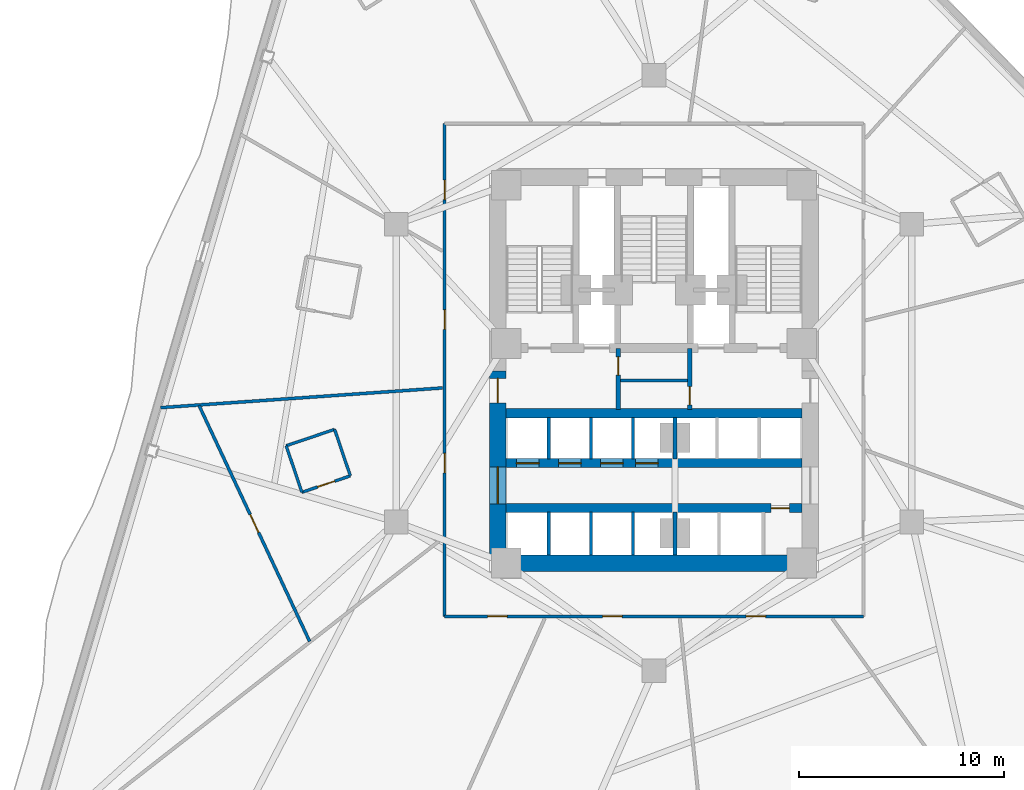
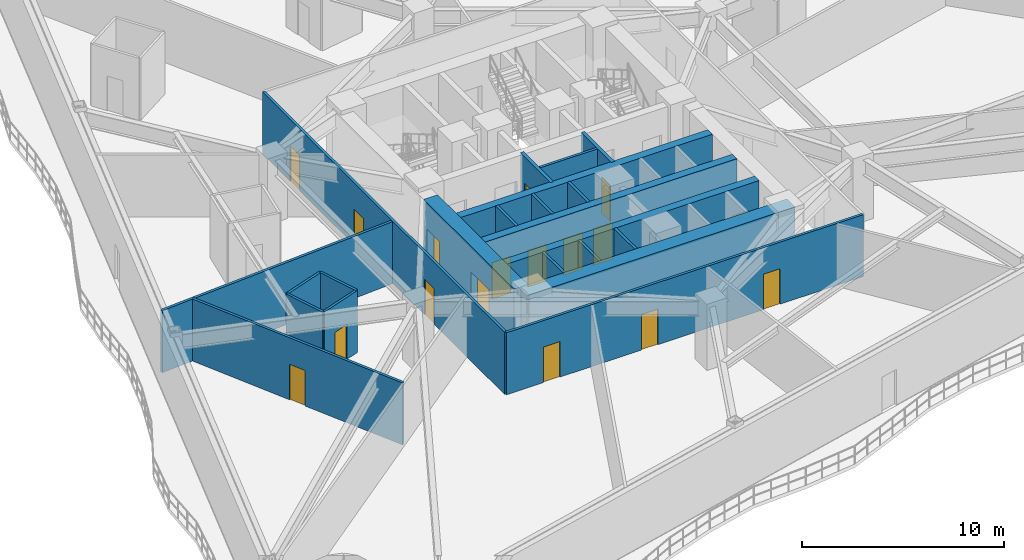
# One storey, part 3 of 9: 24 walls, 17 doors, 17 openings.
"""IFC4 building model written with IfcOpenShell, lengths in metres."""

from ifc_helpers import new_model, si_unit, direction, frame, frame_2d, origin, place, context, subcontext, project, spatial, rectangle, extrude, material, layer, layer_set, type_object, element, fill, save


model = new_model("IFC4")

# Units and contexts
model_context = context("Model", 3, precision=1e-05, world=origin(), true_north=direction((0.0, 1.0)))
body_context = subcontext(model_context, "Body", "Model", "MODEL_VIEW")
ifc_project = project(units=[si_unit("LENGTHUNIT", "METRE"), si_unit("AREAUNIT", "SQUARE_METRE"), si_unit("VOLUMEUNIT", "CUBIC_METRE"), si_unit("PLANEANGLEUNIT", "RADIAN"), si_unit("MASSUNIT", "GRAM", prefix="KILO")], contexts=[model_context])

# Site, building, storey
site_placement = place(None, origin())
site = spatial("IfcSite", under=ifc_project, at=site_placement, CompositionType="ELEMENT")
building_placement = place(site_placement, origin())
building = spatial("IfcBuilding", under=site, at=building_placement, Name="Apsidion Concourse Tower", CompositionType="ELEMENT")
storey_placement = place(building_placement, frame((0.0, 0.0, 119.0)))
storey = spatial("IfcBuildingStorey", under=building, at=storey_placement, Name="L27", CompositionType="ELEMENT", Elevation=119.0)

# Walls
ifc_material_1 = material(Name="Gypsum plasterboard partition")
ifc_layer_1 = layer(ifc_material_1, 0.139892578125)
ifc_layer_set_1 = layer_set([ifc_layer_1], Name="Gypsum plasterboard partition")
wall_type_1 = type_object("IfcWallType", Name="WL-INT-PAR-140", PredefinedType="PARTITIONING", material=ifc_layer_set_1)
wall_1_placement = place(storey_placement, frame((-15.55517578125, -2.738037109375, 0.0), z_axis=(0.0, 0.0, 1.0), x_axis=(-0.947212305057, -0.320607001091, 0.0)))
element("IfcWall", 1, at=wall_1_placement, inside=storey, type_object=wall_type_1, Name="L27 Interior Partition WL-L27-POD-HKAWC-S1", PredefinedType="PARTITIONING", context=body_context, shape_type="SweptSolid", body=[
    extrude(rectangle(XDim=2.489990234375, YDim=0.139892578125, at=frame_2d((1.2451171875, 0.0))), origin(), (0.0, 0.0, 1.0), 3.75),
])
wall_2_placement = place(storey_placement, frame((-17.913818359375, -3.536376953125, 0.0), z_axis=(0.0, 0.0, 1.0), x_axis=(0.320637062885, -0.947202129381, 0.0)))
element("IfcWall", 2, at=wall_2_placement, inside=storey, type_object=wall_type_1, Name="L27 Interior Partition WL-L27-POD-HKAWC-S2", PredefinedType="PARTITIONING", context=body_context, shape_type="SweptSolid", body=[
    extrude(rectangle(XDim=2.39013671875, YDim=0.139892578125, at=frame_2d((1.195068359375, 0.0))), origin(), (0.0, 0.0, 1.0), 3.75),
])

# Wall, opening, door
wall_3_placement = place(storey_placement, frame((-17.1474609375, -5.80029296875, 0.0), z_axis=(0.0, 0.0, 1.0), x_axis=(0.947182527333, 0.320694963969, 0.0)))
wall_3 = element("IfcWall", 3, at=wall_3_placement, inside=storey, type_object=wall_type_1, Name="L27 Interior Partition WL-L27-POD-HKAWC-S3", PredefinedType="PARTITIONING", context=body_context, shape_type="SweptSolid", body=[
    extrude(rectangle(XDim=2.490234375, YDim=0.139892578125, at=frame_2d((1.2451171875, 0.0))), origin(), (0.0, 0.0, 1.0), 3.75),
])
opening_1_placement = place(wall_3_placement, frame((0.804931640625, 0.0, 0.0)))
opening_1 = element("IfcOpeningElement", 4, at=opening_1_placement, cuts=wall_3, Name="Opening D-03L", PredefinedType="OPENING", context=body_context, shape_type="SweptSolid", body=[
    extrude(rectangle(XDim=0.8798828125, YDim=2.10009765625, at=frame_2d((0.43994140625, 1.050048828125))), frame((0.0, 0.080078125, 0.0), z_axis=(0.0, -1.0, 0.0), x_axis=(1.0, 0.0, 0.0)), (0.0, 0.0, 1.0), 0.159912109375),
])
ifc_material_2 = material(Name="Anodised aluminium EN AW-6063 T6", Category="aluminium")
door_type_1 = type_object("IfcDoorType", Name="DR-INT-D03L", OperationType="SINGLE_SWING_LEFT", PredefinedType="DOOR", material=ifc_material_2)
door_1_placement = place(opening_1_placement, origin())
door_1 = element("IfcDoor", 5, at=door_1_placement, inside=storey, type_object=door_type_1, Name="L27 Hotel Accessible WC Door HKAWC", OperationType="SINGLE_SWING_LEFT", OverallHeight=2.10009765625, OverallWidth=0.8798828125, PredefinedType="DOOR", context=body_context, shape_type="SweptSolid", body=[
    extrude(rectangle(XDim=0.8798828125, YDim=2.10009765625, at=frame_2d((0.43994140625, 1.050048828125))), frame((0.0, 0.02490234375, 0.0), z_axis=(0.0, -1.0, 0.0), x_axis=(1.0, 0.0, 0.0)), (0.0, 0.0, 1.0), 0.050048828125),
])
fill(opening_1, door_1)

# Walls
wall_4_placement = place(storey_placement, frame((-14.788818359375, -5.001708984375, 0.0), z_axis=(0.0, 0.0, 1.0), x_axis=(-0.320668088357, 0.947191626393, 0.0)))
element("IfcWall", 6, at=wall_4_placement, inside=storey, type_object=wall_type_1, Name="L27 Interior Partition WL-L27-POD-HKAWC-S4", PredefinedType="PARTITIONING", context=body_context, shape_type="SweptSolid", body=[
    extrude(rectangle(XDim=2.389892578125, YDim=0.139892578125, at=frame_2d((1.19482421875, 0.0))), origin(), (0.0, 0.0, 1.0), 3.75),
])
ifc_layer_2 = layer(ifc_material_1, 0.14990234375)
ifc_layer_set_2 = layer_set([ifc_layer_2], Name="Gypsum plasterboard partition")
wall_type_2 = type_object("IfcWallType", Name="WL-INT-PAR-150", PredefinedType="PARTITIONING", material=ifc_layer_set_2)
for number, where, z_axis, x_axis, name in (
    (7, (-5.125, -4.179931640625, 0.0), (0.0, 0.0, 1.0), (0.0, 1.0, 0.0), "L27 Interior Partition WL-L27-B1DIV-1"),
    (8, (-3.074951171875, -4.179931640625, 0.0), (0.0, 0.0, 1.0), (0.0, 1.0, 0.0), "L27 Interior Partition WL-L27-B1DIV-2"),
    (9, (-1.02490234375, -4.179931640625, 0.0), (0.0, 0.0, 1.0), (0.0, 1.0, 0.0), "L27 Interior Partition WL-L27-B1DIV-3"),
):
    element("IfcWall", number, at=place(storey_placement, frame(where, z_axis=z_axis, x_axis=x_axis)), inside=storey, type_object=wall_type_2, Name=name, PredefinedType="PARTITIONING", context=body_context, shape_type="SweptSolid", body=[
        extrude(rectangle(XDim=2.030029296875, YDim=0.14990234375, at=frame_2d((1.01513671875, 0.0))), origin(), (0.0, 0.0, 1.0), 3.75),
    ])
for number, where, z_axis, x_axis, name in (
    (10, (-5.125, -8.85009765625, 0.0), (0.0, 0.0, 1.0), (0.0, 1.0, 0.0), "L27 Interior Partition WL-L27-B2DIV-1"),
    (11, (-3.074951171875, -8.85009765625, 0.0), (0.0, 0.0, 1.0), (0.0, 1.0, 0.0), "L27 Interior Partition WL-L27-B2DIV-2"),
    (12, (-1.02490234375, -8.85009765625, 0.0), (0.0, 0.0, 1.0), (0.0, 1.0, 0.0), "L27 Interior Partition WL-L27-B2DIV-3"),
):
    element("IfcWall", number, at=place(storey_placement, frame(where, z_axis=z_axis, x_axis=x_axis)), inside=storey, type_object=wall_type_2, Name=name, PredefinedType="PARTITIONING", context=body_context, shape_type="SweptSolid", body=[
        extrude(rectangle(XDim=2.080078125, YDim=0.14990234375, at=frame_2d((1.0400390625, 0.0))), origin(), (0.0, 0.0, 1.0), 3.75),
    ])
wall_5_placement = place(storey_placement, frame((-1.6298828125, -0.35009765625, 0.0), z_axis=(0.0, 0.0, 1.0), x_axis=(1.0, 0.0, 0.0)))
element("IfcWall", 13, at=wall_5_placement, inside=storey, type_object=wall_type_2, Name="L27 Interior Partition WL-L27-K2H", PredefinedType="PARTITIONING", context=body_context, shape_type="SweptSolid", body=[
    extrude(rectangle(XDim=3.259765625, YDim=0.14990234375, at=frame_2d((1.6298828125, 0.0))), origin(), (0.0, 0.0, 1.0), 3.75),
])

# Wall, openings, doors
wall_6_placement = place(storey_placement, frame((10.199951171875, -11.85009765625, 0.0), z_axis=(0.0, 0.0, 1.0), x_axis=(-1.0, 0.0, 0.0)))
wall_6 = element("IfcWall", 14, at=wall_6_placement, inside=storey, type_object=wall_type_2, Name="L27 Interior Partition WL-L27-CORR-03", PredefinedType="PARTITIONING", context=body_context, shape_type="SweptSolid", body=[
    extrude(rectangle(XDim=20.39990234375, YDim=0.14990234375, at=frame_2d((10.199951171875, 0.0))), origin(), (0.0, 0.0, 1.0), 3.75),
])
opening_2_placement = place(wall_6_placement, frame((17.356689453125, 0.0, 0.0)))
opening_2 = element("IfcOpeningElement", 15, at=opening_2_placement, cuts=wall_6, Name="Opening D-01R", PredefinedType="OPENING", context=body_context, shape_type="SweptSolid", body=[
    extrude(rectangle(XDim=0.949951171875, YDim=2.14990234375, at=frame_2d((0.47509765625, 1.074951171875))), frame((0.0, 0.0849609375, 0.0), z_axis=(0.0, -1.0, 0.0), x_axis=(1.0, 0.0, 0.0)), (0.0, 0.0, 1.0), 0.169921875),
])
opening_3_placement = place(wall_6_placement, frame((11.752685546875, 0.0, 0.0)))
opening_3 = element("IfcOpeningElement", 16, at=opening_3_placement, cuts=wall_6, Name="Opening D-01L", PredefinedType="OPENING", context=body_context, shape_type="SweptSolid", body=[
    extrude(rectangle(XDim=0.949951171875, YDim=2.14990234375, at=frame_2d((0.47509765625, 1.074951171875))), frame((0.0, 0.0849609375, 0.0), z_axis=(0.0, -1.0, 0.0), x_axis=(1.0, 0.0, 0.0)), (0.0, 0.0, 1.0), 0.169921875),
])
opening_4_placement = place(wall_6_placement, frame((4.757568359375, 0.0, 0.0)))
opening_4 = element("IfcOpeningElement", 17, at=opening_4_placement, cuts=wall_6, Name="Opening D-01R", PredefinedType="OPENING", context=body_context, shape_type="SweptSolid", body=[
    extrude(rectangle(XDim=0.949951171875, YDim=2.14990234375, at=frame_2d((0.47509765625, 1.074951171875))), frame((0.0, 0.0849609375, 0.0), z_axis=(0.0, -1.0, 0.0), x_axis=(1.0, 0.0, 0.0)), (0.0, 0.0, 1.0), 0.169921875),
])
ifc_material_3 = material(Name="Brushed stainless steel 316", Category="steel")
door_type_2 = type_object("IfcDoorType", Name="DR-INT-D01L", OperationType="SINGLE_SWING_LEFT", PredefinedType="DOOR", material=ifc_material_3)
door_2_placement = place(opening_3_placement, origin())
door_2 = element("IfcDoor", 18, at=door_2_placement, inside=storey, type_object=door_type_2, Name="L27 Corridor Entry Door 03", OperationType="SINGLE_SWING_LEFT", OverallHeight=2.14990234375, OverallWidth=0.949951171875, PredefinedType="DOOR", context=body_context, shape_type="SweptSolid", body=[
    extrude(rectangle(XDim=0.949951171875, YDim=2.14990234375, at=frame_2d((0.47509765625, 1.074951171875))), frame((0.0, 0.02490234375, 0.0), z_axis=(0.0, -1.0, 0.0), x_axis=(1.0, 0.0, 0.0)), (0.0, 0.0, 1.0), 0.050048828125),
])
fill(opening_3, door_2)
door_type_3 = type_object("IfcDoorType", Name="DR-INT-D01R", OperationType="SINGLE_SWING_RIGHT", PredefinedType="DOOR", material=ifc_material_3)
door_3_placement = place(opening_2_placement, origin())
door_3 = element("IfcDoor", 19, at=door_3_placement, inside=storey, type_object=door_type_3, Name="L27 Corridor Entry Door 02", OperationType="SINGLE_SWING_RIGHT", OverallHeight=2.14990234375, OverallWidth=0.949951171875, PredefinedType="DOOR", context=body_context, shape_type="SweptSolid", body=[
    extrude(rectangle(XDim=0.949951171875, YDim=2.14990234375, at=frame_2d((0.47509765625, 1.074951171875))), frame((0.0, 0.02490234375, 0.0), z_axis=(0.0, -1.0, 0.0), x_axis=(1.0, 0.0, 0.0)), (0.0, 0.0, 1.0), 0.050048828125),
])
fill(opening_2, door_3)
door_4_placement = place(opening_4_placement, origin())
door_4 = element("IfcDoor", 20, at=door_4_placement, inside=storey, type_object=door_type_3, Name="L27 Corridor Entry Door 04", OperationType="SINGLE_SWING_RIGHT", OverallHeight=2.14990234375, OverallWidth=0.949951171875, PredefinedType="DOOR", context=body_context, shape_type="SweptSolid", body=[
    extrude(rectangle(XDim=0.949951171875, YDim=2.14990234375, at=frame_2d((0.47509765625, 1.074951171875))), frame((0.0, 0.02490234375, 0.0), z_axis=(0.0, -1.0, 0.0), x_axis=(1.0, 0.0, 0.0)), (0.0, 0.0, 1.0), 0.050048828125),
])
fill(opening_4, door_4)

wall_7_placement = place(storey_placement, frame((-10.199951171875, -11.85009765625, 0.0), z_axis=(0.0, 0.0, 1.0), x_axis=(0.0, 1.0, 0.0)))
wall_7 = element("IfcWall", 21, at=wall_7_placement, inside=storey, type_object=wall_type_2, Name="L27 Interior Partition WL-L27-CORR-04", PredefinedType="PARTITIONING", context=body_context, shape_type="SweptSolid", body=[
    extrude(rectangle(XDim=24.0, YDim=0.14990234375, at=frame_2d((12.0, 0.0))), origin(), (0.0, 0.0, 1.0), 3.75),
])
opening_5_placement = place(wall_7_placement, frame((6.991455078125, 0.0, 0.0)))
opening_5 = element("IfcOpeningElement", 22, at=opening_5_placement, cuts=wall_7, Name="Opening D-01L", PredefinedType="OPENING", context=body_context, shape_type="SweptSolid", body=[
    extrude(rectangle(XDim=0.949951171875, YDim=2.14990234375, at=frame_2d((0.47509765625, 1.074951171875))), frame((0.0, 0.0849609375, 0.0), z_axis=(0.0, -1.0, 0.0), x_axis=(1.0, 0.0, 0.0)), (0.0, 0.0, 1.0), 0.169921875),
])
opening_6_placement = place(wall_7_placement, frame((20.297119140625, 0.0, 0.0)))
opening_6 = element("IfcOpeningElement", 23, at=opening_6_placement, cuts=wall_7, Name="Opening D-01R", PredefinedType="OPENING", context=body_context, shape_type="SweptSolid", body=[
    extrude(rectangle(XDim=0.949951171875, YDim=2.14990234375, at=frame_2d((0.47509765625, 1.074951171875))), frame((0.0, 0.0849609375, 0.0), z_axis=(0.0, -1.0, 0.0), x_axis=(1.0, 0.0, 0.0)), (0.0, 0.0, 1.0), 0.169921875),
])
opening_7_placement = place(wall_7_placement, frame((13.985107421875, 0.0, 0.0)))
opening_7 = element("IfcOpeningElement", 24, at=opening_7_placement, cuts=wall_7, Name="Opening D-01L", PredefinedType="OPENING", context=body_context, shape_type="SweptSolid", body=[
    extrude(rectangle(XDim=0.949951171875, YDim=2.14990234375, at=frame_2d((0.47509765625, 1.074951171875))), frame((0.0, 0.0849609375, 0.0), z_axis=(0.0, -1.0, 0.0), x_axis=(1.0, 0.0, 0.0)), (0.0, 0.0, 1.0), 0.169921875),
])
door_5_placement = place(opening_5_placement, origin())
door_5 = element("IfcDoor", 25, at=door_5_placement, inside=storey, type_object=door_type_2, Name="L27 Corridor Entry Door 01", OperationType="SINGLE_SWING_LEFT", OverallHeight=2.14990234375, OverallWidth=0.949951171875, PredefinedType="DOOR", context=body_context, shape_type="SweptSolid", body=[
    extrude(rectangle(XDim=0.949951171875, YDim=2.14990234375, at=frame_2d((0.47509765625, 1.074951171875))), frame((0.0, 0.02490234375, 0.0), z_axis=(0.0, -1.0, 0.0), x_axis=(1.0, 0.0, 0.0)), (0.0, 0.0, 1.0), 0.050048828125),
])
fill(opening_5, door_5)
door_6_placement = place(opening_7_placement, origin())
door_6 = element("IfcDoor", 26, at=door_6_placement, inside=storey, type_object=door_type_2, Name="L27 Corridor Entry Door 11", OperationType="SINGLE_SWING_LEFT", OverallHeight=2.14990234375, OverallWidth=0.949951171875, PredefinedType="DOOR", context=body_context, shape_type="SweptSolid", body=[
    extrude(rectangle(XDim=0.949951171875, YDim=2.14990234375, at=frame_2d((0.47509765625, 1.074951171875))), frame((0.0, 0.02490234375, 0.0), z_axis=(0.0, -1.0, 0.0), x_axis=(1.0, 0.0, 0.0)), (0.0, 0.0, 1.0), 0.050048828125),
])
fill(opening_7, door_6)
door_7_placement = place(opening_6_placement, origin())
door_7 = element("IfcDoor", 27, at=door_7_placement, inside=storey, type_object=door_type_3, Name="L27 Corridor Entry Door 10", OperationType="SINGLE_SWING_RIGHT", OverallHeight=2.14990234375, OverallWidth=0.949951171875, PredefinedType="DOOR", context=body_context, shape_type="SweptSolid", body=[
    extrude(rectangle(XDim=0.949951171875, YDim=2.14990234375, at=frame_2d((0.47509765625, 1.074951171875))), frame((0.0, 0.02490234375, 0.0), z_axis=(0.0, -1.0, 0.0), x_axis=(1.0, 0.0, 0.0)), (0.0, 0.0, 1.0), 0.050048828125),
])
fill(opening_6, door_7)

# Wall
wall_8_placement = place(storey_placement, frame((-10.304931640625, -0.720703125, 0.0), z_axis=(0.0, 0.0, 1.0), x_axis=(-0.997563996849, -0.069757237551, 0.0)))
element("IfcWall", 28, at=wall_8_placement, inside=storey, type_object=wall_type_2, Name="L27 Interior Partition WL-L27-RAD-06-1", PredefinedType="PARTITIONING", context=body_context, shape_type="SweptSolid", body=[
    extrude(rectangle(XDim=13.75439453125, YDim=0.14990234375, at=frame_2d((6.877197265625, 0.0))), origin(), (0.0, 0.0, 1.0), 3.75),
])

# Wall, opening, door
wall_9_placement = place(storey_placement, frame((-22.156982421875, -1.574462890625, 0.0), z_axis=(0.0, 0.0, 1.0), x_axis=(0.424516651615, -0.905420130382, 0.0)))
wall_9 = element("IfcWall", 29, at=wall_9_placement, inside=storey, type_object=wall_type_2, Name="L27 Interior Partition WL-L27-CHD-HKWC", PredefinedType="PARTITIONING", context=body_context, shape_type="SweptSolid", body=[
    extrude(rectangle(XDim=12.69482421875, YDim=0.14990234375, at=frame_2d((6.347412109375, 0.0))), origin(), (0.0, 0.0, 1.0), 3.75),
])
opening_8_placement = place(wall_9_placement, frame((5.87255859375, 0.0, 0.0)))
opening_8 = element("IfcOpeningElement", 30, at=opening_8_placement, cuts=wall_9, Name="Opening D-04R", PredefinedType="OPENING", context=body_context, shape_type="SweptSolid", body=[
    extrude(rectangle(XDim=0.949951171875, YDim=2.14990234375, at=frame_2d((0.47509765625, 1.074951171875))), frame((0.0, 0.0849609375, 0.0), z_axis=(0.0, -1.0, 0.0), x_axis=(1.0, 0.0, 0.0)), (0.0, 0.0, 1.0), 0.169921875),
])
door_type_4 = type_object("IfcDoorType", Name="DR-INT-D04R", OperationType="SINGLE_SWING_RIGHT", PredefinedType="DOOR", material=ifc_material_3)
door_8_placement = place(opening_8_placement, origin())
door_8 = element("IfcDoor", 31, at=door_8_placement, inside=storey, type_object=door_type_4, Name="L27 Suite Connecting Door HKWC", OperationType="SINGLE_SWING_RIGHT", OverallHeight=2.14990234375, OverallWidth=0.949951171875, PredefinedType="DOOR", context=body_context, shape_type="SweptSolid", body=[
    extrude(rectangle(XDim=0.949951171875, YDim=2.14990234375, at=frame_2d((0.47509765625, 1.074951171875))), frame((0.0, 0.02490234375, 0.0), z_axis=(0.0, -1.0, 0.0), x_axis=(1.0, 0.0, 0.0)), (0.0, 0.0, 1.0), 0.050048828125),
])
fill(opening_8, door_8)

# Walls
ifc_layer_3 = layer(ifc_material_1, 0.179931640625)
ifc_layer_set_3 = layer_set([ifc_layer_3], Name="Gypsum plasterboard partition")
wall_type_3 = type_object("IfcWallType", Name="WL-INT-PAR-180", PredefinedType="PARTITIONING", material=ifc_layer_set_3)
wall_10_placement = place(storey_placement, frame((1.02490234375, -4.179931640625, 0.0), z_axis=(0.0, 0.0, 1.0), x_axis=(0.0, 1.0, 0.0)))
element("IfcWall", 32, at=wall_10_placement, inside=storey, type_object=wall_type_3, Name="L27 Interior Partition WL-L27-B1END", PredefinedType="PARTITIONING", context=body_context, shape_type="SweptSolid", body=[
    extrude(rectangle(XDim=2.030029296875, YDim=0.179931640625, at=frame_2d((1.01513671875, 0.0))), origin(), (0.0, 0.0, 1.0), 2.798095703125),
])
wall_11_placement = place(storey_placement, frame((1.02490234375, -8.85009765625, 0.0), z_axis=(0.0, 0.0, 1.0), x_axis=(0.0, 1.0, 0.0)))
element("IfcWall", 33, at=wall_11_placement, inside=storey, type_object=wall_type_3, Name="L27 Interior Partition WL-L27-B2END", PredefinedType="PARTITIONING", context=body_context, shape_type="SweptSolid", body=[
    extrude(rectangle(XDim=2.080078125, YDim=0.179931640625, at=frame_2d((1.0400390625, 0.0))), origin(), (0.0, 0.0, 1.0), 2.798095703125),
])

# Wall, opening, door
ifc_layer_4 = layer(ifc_material_1, 0.199951171875)
ifc_layer_set_4 = layer_set([ifc_layer_4], Name="Gypsum plasterboard partition")
wall_type_4 = type_object("IfcWallType", Name="WL-INT-PAR-200", PredefinedType="PARTITIONING", material=ifc_layer_set_4)
wall_12_placement = place(storey_placement, frame((-1.739990234375, -1.780029296875, 0.0), z_axis=(0.0, 0.0, 1.0), x_axis=(0.0, 1.0, 0.0)))
wall_12 = element("IfcWall", 34, at=wall_12_placement, inside=storey, type_object=wall_type_4, Name="L27 Interior Partition WL-L27-FF1-E", PredefinedType="PARTITIONING", context=body_context, shape_type="SweptSolid", body=[
    extrude(rectangle(XDim=2.97998046875, YDim=0.199951171875, at=frame_2d((1.489990234375, 0.0))), origin(), (0.0, 0.0, 1.0), 3.75),
])
opening_9_placement = place(wall_12_placement, frame((1.68994140625, 0.0, 0.0)))
opening_9 = element("IfcOpeningElement", 35, at=opening_9_placement, cuts=wall_12, Name="Opening D-05L", PredefinedType="OPENING", context=body_context, shape_type="SweptSolid", body=[
    extrude(rectangle(XDim=0.8798828125, YDim=2.14990234375, at=frame_2d((0.43994140625, 1.074951171875))), frame((0.0, 0.10986328125, 0.0), z_axis=(0.0, -1.0, 0.0), x_axis=(1.0, 0.0, 0.0)), (0.0, 0.0, 1.0), 0.219970703125),
])
door_type_5 = type_object("IfcDoorType", Name="DR-INT-D05L", OperationType="SINGLE_SWING_LEFT", PredefinedType="DOOR", material=ifc_material_3)
door_9_placement = place(opening_9_placement, origin())
door_9 = element("IfcDoor", 36, at=door_9_placement, inside=storey, type_object=door_type_5, Name="L27 Core Staff WC Door", OperationType="SINGLE_SWING_LEFT", OverallHeight=2.14990234375, OverallWidth=0.8798828125, PredefinedType="DOOR", context=body_context, shape_type="SweptSolid", body=[
    extrude(rectangle(XDim=0.8798828125, YDim=2.14990234375, at=frame_2d((0.43994140625, 1.074951171875))), frame((0.0, 0.02490234375, 0.0), z_axis=(0.0, -1.0, 0.0), x_axis=(1.0, 0.0, 0.0)), (0.0, 0.0, 1.0), 0.050048828125),
])
fill(opening_9, door_9)

wall_13_placement = place(storey_placement, frame((1.739990234375, -1.780029296875, 0.0), z_axis=(0.0, 0.0, 1.0), x_axis=(0.0, 1.0, 0.0)))
wall_13 = element("IfcWall", 37, at=wall_13_placement, inside=storey, type_object=wall_type_4, Name="L27 Interior Partition WL-L27-FF2-W", PredefinedType="PARTITIONING", context=body_context, shape_type="SweptSolid", body=[
    extrude(rectangle(XDim=2.97998046875, YDim=0.199951171875, at=frame_2d((1.489990234375, 0.0))), origin(), (0.0, 0.0, 1.0), 3.75),
])
opening_10_placement = place(wall_13_placement, frame((0.239990234375, 0.0, 0.0)))
opening_10 = element("IfcOpeningElement", 38, at=opening_10_placement, cuts=wall_13, Name="Opening D-05R", PredefinedType="OPENING", context=body_context, shape_type="SweptSolid", body=[
    extrude(rectangle(XDim=0.8798828125, YDim=2.14990234375, at=frame_2d((0.43994140625, 1.074951171875))), frame((0.0, 0.10986328125, 0.0), z_axis=(0.0, -1.0, 0.0), x_axis=(1.0, 0.0, 0.0)), (0.0, 0.0, 1.0), 0.219970703125),
])
door_type_6 = type_object("IfcDoorType", Name="DR-INT-D05R", OperationType="SINGLE_SWING_RIGHT", PredefinedType="DOOR", material=ifc_material_3)
door_10_placement = place(opening_10_placement, origin())
door_10 = element("IfcDoor", 39, at=door_10_placement, inside=storey, type_object=door_type_6, Name="L27 Core Supply Store Door", OperationType="SINGLE_SWING_RIGHT", OverallHeight=2.14990234375, OverallWidth=0.8798828125, PredefinedType="DOOR", context=body_context, shape_type="SweptSolid", body=[
    extrude(rectangle(XDim=0.8798828125, YDim=2.14990234375, at=frame_2d((0.43994140625, 1.074951171875))), frame((0.0, 0.02490234375, 0.0), z_axis=(0.0, -1.0, 0.0), x_axis=(1.0, 0.0, 0.0)), (0.0, 0.0, 1.0), 0.050048828125),
])
fill(opening_10, door_10)

# Wall
ifc_material_4 = material(Name="Concrete C60/75", Category="concrete")
ifc_layer_5 = layer(ifc_material_4, 0.449951171875)
ifc_layer_set_5 = layer_set([ifc_layer_5], Name="Concrete C60/75")
wall_type_5 = type_object("IfcWallType", Name="WL-SH-450", PredefinedType="SHEAR", material=ifc_layer_set_5)
wall_14_placement = place(storey_placement, frame((-7.199951171875, -1.949951171875, 0.0), z_axis=(0.0, 0.0, 1.0), x_axis=(1.0, 0.0, 0.0)))
element("IfcWall", 40, at=wall_14_placement, inside=storey, type_object=wall_type_5, Name="L27 Central Core Shear Wall M2", PredefinedType="SHEAR", context=body_context, shape_type="SweptSolid", body=[
    extrude(rectangle(XDim=14.39990234375, YDim=0.449951171875, at=frame_2d((7.199951171875, 0.0))), origin(), (0.0, 0.0, 1.0), 3.75),
])

# Wall, openings, doors
wall_15_placement = place(storey_placement, frame((-7.199951171875, -4.3798828125, 0.0), z_axis=(0.0, 0.0, 1.0), x_axis=(1.0, 0.0, 0.0)))
wall_15 = element("IfcWall", 41, at=wall_15_placement, inside=storey, type_object=wall_type_5, Name="L27 Central Core Shear Wall LA", PredefinedType="SHEAR", context=body_context, shape_type="SweptSolid", body=[
    extrude(rectangle(XDim=14.39990234375, YDim=0.449951171875, at=frame_2d((7.199951171875, 0.0))), origin(), (0.0, 0.0, 1.0), 3.75),
])
opening_11_placement = place(wall_15_placement, frame((0.5, 0.0, 0.0)))
opening_11 = element("IfcOpeningElement", 42, at=opening_11_placement, cuts=wall_15, Name="Opening LD-P1", PredefinedType="OPENING", context=body_context, shape_type="SweptSolid", body=[
    extrude(rectangle(XDim=1.10009765625, YDim=2.199951171875, at=frame_2d((0.550048828125, 1.10009765625))), frame((0.0, 0.23486328125, 0.0), z_axis=(0.0, -1.0, 0.0), x_axis=(1.0, 0.0, 0.0)), (0.0, 0.0, 1.0), 0.469970703125),
])
opening_12_placement = place(wall_15_placement, frame((2.550048828125, 0.0, 0.0)))
opening_12 = element("IfcOpeningElement", 43, at=opening_12_placement, cuts=wall_15, Name="Opening LD-P1", PredefinedType="OPENING", context=body_context, shape_type="SweptSolid", body=[
    extrude(rectangle(XDim=1.10009765625, YDim=2.199951171875, at=frame_2d((0.550048828125, 1.10009765625))), frame((0.0, 0.23486328125, 0.0), z_axis=(0.0, -1.0, 0.0), x_axis=(1.0, 0.0, 0.0)), (0.0, 0.0, 1.0), 0.469970703125),
])
opening_13_placement = place(wall_15_placement, frame((4.60009765625, 0.0, 0.0)))
opening_13 = element("IfcOpeningElement", 44, at=opening_13_placement, cuts=wall_15, Name="Opening LD-P1", PredefinedType="OPENING", context=body_context, shape_type="SweptSolid", body=[
    extrude(rectangle(XDim=1.10009765625, YDim=2.199951171875, at=frame_2d((0.550048828125, 1.10009765625))), frame((0.0, 0.23486328125, 0.0), z_axis=(0.0, -1.0, 0.0), x_axis=(1.0, 0.0, 0.0)), (0.0, 0.0, 1.0), 0.469970703125),
])
opening_14_placement = place(wall_15_placement, frame((6.300048828125, 0.0, 0.0)))
opening_14 = element("IfcOpeningElement", 45, at=opening_14_placement, cuts=wall_15, Name="Opening LD-P1", PredefinedType="OPENING", context=body_context, shape_type="SweptSolid", body=[
    extrude(rectangle(XDim=1.10009765625, YDim=2.199951171875, at=frame_2d((0.550048828125, 1.10009765625))), frame((0.0, 0.23486328125, 0.0), z_axis=(0.0, -1.0, 0.0), x_axis=(1.0, 0.0, 0.0)), (0.0, 0.0, 1.0), 0.469970703125),
])
door_type_7 = type_object("IfcDoorType", Name="DR-LD-PASS", OperationType="DOUBLE_DOOR_SLIDING", PredefinedType="DOOR", material=ifc_material_3)
door_11_placement = place(opening_11_placement, origin())
door_11 = element("IfcDoor", 46, at=door_11_placement, inside=storey, type_object=door_type_7, Name="L27 Lift Landing Door P1", OperationType="DOUBLE_DOOR_SLIDING", OverallHeight=2.199951171875, OverallWidth=1.10009765625, PredefinedType="DOOR", context=body_context, shape_type="SweptSolid", body=[
    extrude(rectangle(XDim=1.10009765625, YDim=2.199951171875, at=frame_2d((0.550048828125, 1.10009765625))), frame((0.0, 0.02490234375, 0.0), z_axis=(0.0, -1.0, 0.0), x_axis=(1.0, 0.0, 0.0)), (0.0, 0.0, 1.0), 0.050048828125),
])
fill(opening_11, door_11)
door_12_placement = place(opening_12_placement, origin())
door_12 = element("IfcDoor", 47, at=door_12_placement, inside=storey, type_object=door_type_7, Name="L27 Lift Landing Door P2", OperationType="DOUBLE_DOOR_SLIDING", OverallHeight=2.199951171875, OverallWidth=1.10009765625, PredefinedType="DOOR", context=body_context, shape_type="SweptSolid", body=[
    extrude(rectangle(XDim=1.10009765625, YDim=2.199951171875, at=frame_2d((0.550048828125, 1.10009765625))), frame((0.0, 0.02490234375, 0.0), z_axis=(0.0, -1.0, 0.0), x_axis=(1.0, 0.0, 0.0)), (0.0, 0.0, 1.0), 0.050048828125),
])
fill(opening_12, door_12)
door_13_placement = place(opening_13_placement, origin())
door_13 = element("IfcDoor", 48, at=door_13_placement, inside=storey, type_object=door_type_7, Name="L27 Lift Landing Door P3", OperationType="DOUBLE_DOOR_SLIDING", OverallHeight=2.199951171875, OverallWidth=1.10009765625, PredefinedType="DOOR", context=body_context, shape_type="SweptSolid", body=[
    extrude(rectangle(XDim=1.10009765625, YDim=2.199951171875, at=frame_2d((0.550048828125, 1.10009765625))), frame((0.0, 0.02490234375, 0.0), z_axis=(0.0, -1.0, 0.0), x_axis=(1.0, 0.0, 0.0)), (0.0, 0.0, 1.0), 0.050048828125),
])
fill(opening_13, door_13)
door_14_placement = place(opening_14_placement, origin())
door_14 = element("IfcDoor", 49, at=door_14_placement, inside=storey, type_object=door_type_7, Name="L27 Lift Landing Door P4", OperationType="DOUBLE_DOOR_SLIDING", OverallHeight=2.199951171875, OverallWidth=1.10009765625, PredefinedType="DOOR", context=body_context, shape_type="SweptSolid", body=[
    extrude(rectangle(XDim=1.10009765625, YDim=2.199951171875, at=frame_2d((0.550048828125, 1.10009765625))), frame((0.0, 0.02490234375, 0.0), z_axis=(0.0, -1.0, 0.0), x_axis=(1.0, 0.0, 0.0)), (0.0, 0.0, 1.0), 0.050048828125),
])
fill(opening_14, door_14)

# Wall, opening, door
wall_16_placement = place(storey_placement, frame((-7.199951171875, -6.570068359375, 0.0), z_axis=(0.0, 0.0, 1.0), x_axis=(1.0, 0.0, 0.0)))
wall_16 = element("IfcWall", 50, at=wall_16_placement, inside=storey, type_object=wall_type_5, Name="L27 Central Core Shear Wall LB", PredefinedType="SHEAR", context=body_context, shape_type="SweptSolid", body=[
    extrude(rectangle(XDim=14.39990234375, YDim=0.449951171875, at=frame_2d((7.199951171875, 0.0))), origin(), (0.0, 0.0, 1.0), 3.75),
])
opening_15_placement = place(wall_16_placement, frame((12.909912109375, 0.0, 0.0)))
opening_15 = element("IfcOpeningElement", 51, at=opening_15_placement, cuts=wall_16, Name="Opening D-05L", PredefinedType="OPENING", context=body_context, shape_type="SweptSolid", body=[
    extrude(rectangle(XDim=0.8798828125, YDim=2.14990234375, at=frame_2d((0.43994140625, 1.074951171875))), frame((0.0, 0.23486328125, 0.0), z_axis=(0.0, -1.0, 0.0), x_axis=(1.0, 0.0, 0.0)), (0.0, 0.0, 1.0), 0.469970703125),
])
door_15_placement = place(opening_15_placement, origin())
door_15 = element("IfcDoor", 52, at=door_15_placement, inside=storey, type_object=door_type_5, Name="L27 Cleaners Store Door", OperationType="SINGLE_SWING_LEFT", OverallHeight=2.14990234375, OverallWidth=0.8798828125, PredefinedType="DOOR", context=body_context, shape_type="SweptSolid", body=[
    extrude(rectangle(XDim=0.8798828125, YDim=2.14990234375, at=frame_2d((0.43994140625, 1.074951171875))), frame((0.0, 0.02490234375, 0.0), z_axis=(0.0, -1.0, 0.0), x_axis=(1.0, 0.0, 0.0)), (0.0, 0.0, 1.0), 0.050048828125),
])
fill(opening_15, door_15)

# Wall, openings, doors
ifc_layer_6 = layer(ifc_material_4, 0.800048828125)
ifc_layer_set_6 = layer_set([ifc_layer_6], Name="Concrete C60/75")
wall_type_6 = type_object("IfcWallType", Name="WL-SH-800", PredefinedType="SHEAR", material=ifc_layer_set_6)
wall_17_placement = place(storey_placement, frame((-7.60009765625, -8.85009765625, 0.0), z_axis=(0.0, 0.0, 1.0), x_axis=(0.0, 1.0, 0.0)))
wall_17 = element("IfcWall", 53, at=wall_17_placement, inside=storey, type_object=wall_type_6, Name="L27 Central Core Shear Wall WS", PredefinedType="SHEAR", context=body_context, shape_type="SweptSolid", body=[
    extrude(rectangle(XDim=8.9501953125, YDim=0.800048828125, at=frame_2d((4.47509765625, 0.0))), origin(), (0.0, 0.0, 1.0), 3.75),
])
opening_16_placement = place(wall_17_placement, frame((2.489990234375, 0.0, 0.0)))
opening_16 = element("IfcOpeningElement", 54, at=opening_16_placement, cuts=wall_17, Name="Opening D-06D", PredefinedType="OPENING", context=body_context, shape_type="SweptSolid", body=[
    extrude(rectangle(XDim=1.800048828125, YDim=2.199951171875, at=frame_2d((0.89990234375, 1.10009765625))), frame((0.0, 0.41015625, 0.0), z_axis=(0.0, -1.0, 0.0), x_axis=(1.0, 0.0, 0.0)), (0.0, 0.0, 1.0), 0.820068359375),
])
opening_17_placement = place(wall_17_placement, frame((7.39990234375, 0.0, 0.0)))
opening_17 = element("IfcOpeningElement", 55, at=opening_17_placement, cuts=wall_17, Name="Opening D-FFL", PredefinedType="OPENING", context=body_context, shape_type="SweptSolid", body=[
    extrude(rectangle(XDim=1.199951171875, YDim=2.14990234375, at=frame_2d((0.60009765625, 1.074951171875))), frame((0.0, 0.41015625, 0.0), z_axis=(0.0, -1.0, 0.0), x_axis=(1.0, 0.0, 0.0)), (0.0, 0.0, 1.0), 0.820068359375),
])
door_type_8 = type_object("IfcDoorType", Name="DR-INT-D06D", OperationType="DOUBLE_DOOR_SINGLE_SWING", PredefinedType="DOOR", material=ifc_material_3)
door_16_placement = place(opening_16_placement, origin())
door_16 = element("IfcDoor", 56, at=door_16_placement, inside=storey, type_object=door_type_8, Name="L27 Passenger Lift Lobby WS Portal Door", OperationType="DOUBLE_DOOR_SINGLE_SWING", OverallHeight=2.199951171875, OverallWidth=1.800048828125, PredefinedType="DOOR", context=body_context, shape_type="SweptSolid", body=[
    extrude(rectangle(XDim=1.800048828125, YDim=2.199951171875, at=frame_2d((0.89990234375, 1.10009765625))), frame((0.0, 0.02490234375, 0.0), z_axis=(0.0, -1.0, 0.0), x_axis=(1.0, 0.0, 0.0)), (0.0, 0.0, 1.0), 0.050048828125),
])
fill(opening_16, door_16)
door_type_9 = type_object("IfcDoorType", Name="DR-INT-FFL", OperationType="SINGLE_SWING_LEFT", PredefinedType="DOOR", material=ifc_material_3)
door_17_placement = place(opening_17_placement, origin())
door_17 = element("IfcDoor", 57, at=door_17_placement, inside=storey, type_object=door_type_9, Name="L27 Firefighting Lift Lobby FF1 Door", OperationType="SINGLE_SWING_LEFT", OverallHeight=2.14990234375, OverallWidth=1.199951171875, PredefinedType="DOOR", context=body_context, shape_type="SweptSolid", body=[
    extrude(rectangle(XDim=1.199951171875, YDim=2.14990234375, at=frame_2d((0.60009765625, 1.074951171875))), frame((0.0, 0.02490234375, 0.0), z_axis=(0.0, -1.0, 0.0), x_axis=(1.0, 0.0, 0.0)), (0.0, 0.0, 1.0), 0.050048828125),
])
fill(opening_17, door_17)

# Wall
wall_18_placement = place(storey_placement, frame((-7.60009765625, -9.25, 0.0), z_axis=(0.0, 0.0, 1.0), x_axis=(1.0, 0.0, 0.0)))
element("IfcWall", 58, at=wall_18_placement, inside=storey, type_object=wall_type_6, Name="L27 Central Core Shear Wall S", PredefinedType="SHEAR", context=body_context, shape_type="SweptSolid", body=[
    extrude(rectangle(XDim=15.2001953125, YDim=0.800048828125, at=frame_2d((7.60009765625, 0.0))), origin(), (0.0, 0.0, 1.0), 3.75),
])

save(model, "model.ifc")
